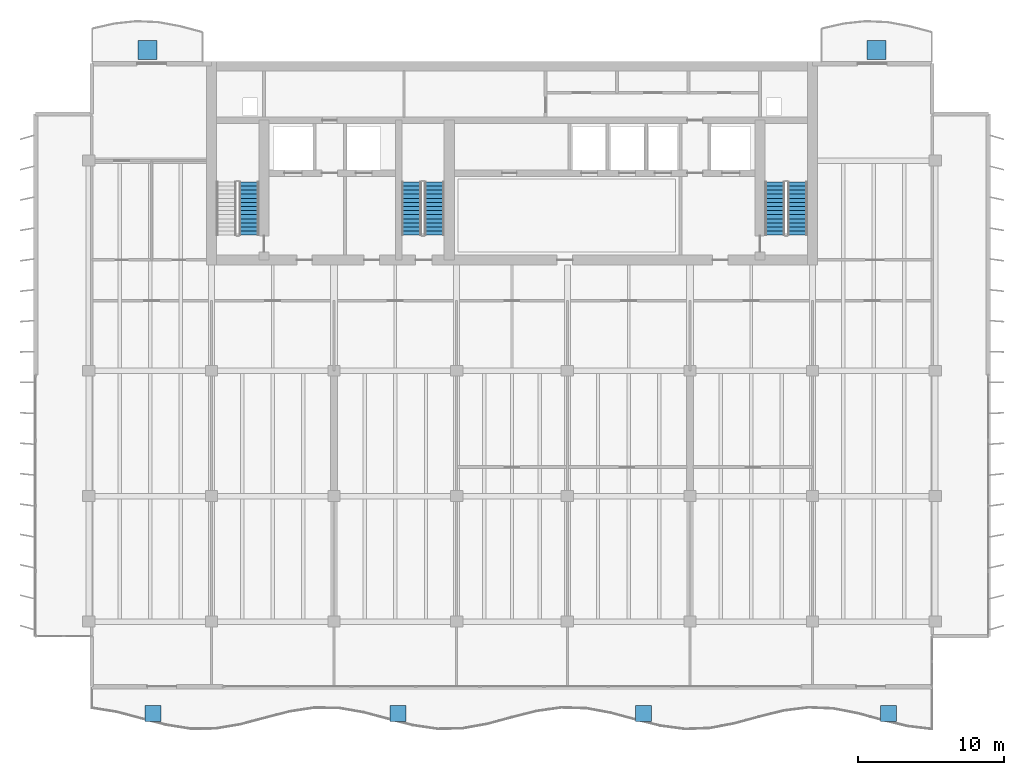
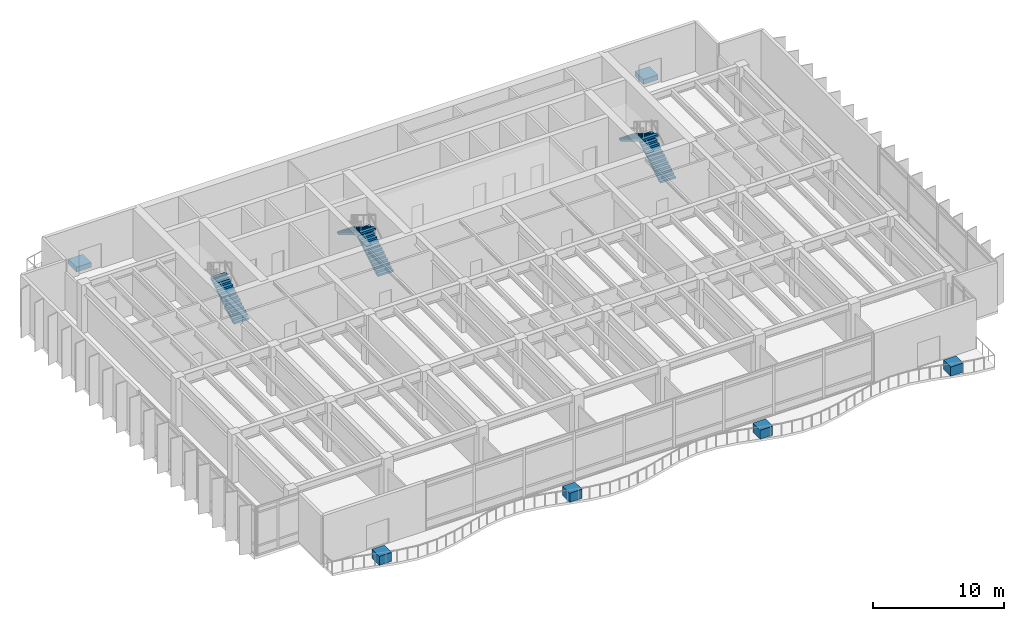
# One storey, part 11 of 15: 6 discrete accessories, 5 stair flights, 3 elements without a shape of their own.
"""IFC4 building model written with IfcOpenShell, lengths in metres."""

import ifcopenshell
import ifcopenshell.guid

model = None  # the IFC model being written
_history = None  # IfcOwnerHistory: only IFC2X3 demands one
_inside = {}  # id of a spatial element -> (the spatial element, [elements in it])
_under = {}  # id of a project, library or spatial element -> (it, [spatial elements below it])
_declared = {}  # id of a project -> (the project, [libraries it declares])
_typed = {}  # id of a type object -> (the type object, [elements of that type])
_made_of = {}  # id of a material, layer set ... -> (it, [elements and type objects made of it])


def new_model(schema):
    """Start an empty IFC model of exactly this schema.

    Asked for "IFC4X3", IfcOpenShell would pick the latest addendum, in which some entities
    have other attributes; the version numbers below select the first issue.
    IFC2X3 requires an IfcOwnerHistory on every rooted entity: one is made here for all.
    """
    global model, _history
    if schema == "IFC4X3":
        model = ifcopenshell.file(schema_version=(4, 3, 0, 0))
    else:
        model = ifcopenshell.file(schema=schema)
    _inside.clear()
    _under.clear()
    _declared.clear()
    _typed.clear()
    _made_of.clear()
    _history = None
    if model.schema == "IFC2X3":
        org = make("IfcOrganization", Name="unknown")
        user = make(
            "IfcPersonAndOrganization",
            ThePerson=make("IfcPerson", FamilyName="unknown"),
            TheOrganization=org,
        )
        app = make(
            "IfcApplication",
            ApplicationDeveloper=org,
            Version="unknown",
            ApplicationFullName="unknown",
            ApplicationIdentifier="unknown",
        )
        _history = make(
            "IfcOwnerHistory",
            OwningUser=user,
            OwningApplication=app,
            ChangeAction="ADDED",
            CreationDate=0,
        )
    return model


def make(cls, **values):
    """One entity of the class cls with the attributes given. An attribute that is None is left unset."""
    return model.create_entity(
        cls, **{name: value for name, value in values.items() if value is not None}
    )


def rooted(cls, **values):
    """An entity with a GlobalId (a new one), such as an element, a storey or a relation."""
    return make(cls, GlobalId=ifcopenshell.guid.new(), OwnerHistory=_history, **values)


def si_unit(unit_type, name, prefix=None):
    """IfcSIUnit, for example si_unit("LENGTHUNIT", "METRE", prefix="MILLI")."""
    return make("IfcSIUnit", UnitType=unit_type, Prefix=prefix, Name=name)


def assignment(units):
    """IfcUnitAssignment: the units of a project."""
    return None if units is None else make("IfcUnitAssignment", Units=units)


def point(xyz):
    """IfcCartesianPoint."""
    return None if xyz is None else make("IfcCartesianPoint", Coordinates=xyz)


def direction(xyz):
    """IfcDirection."""
    return None if xyz is None else make("IfcDirection", DirectionRatios=xyz)


def frame(location, z_axis=None, x_axis=None):
    """IfcAxis2Placement3D, a coordinate frame: its origin and axes. An axis left out is left unset."""
    return make(
        "IfcAxis2Placement3D",
        Location=point(location),
        Axis=direction(z_axis),
        RefDirection=direction(x_axis),
    )


def frame_2d(location, x_axis=None):
    """IfcAxis2Placement2D, a coordinate frame in the plane: its origin and x axis."""
    return make(
        "IfcAxis2Placement2D", Location=point(location), RefDirection=direction(x_axis)
    )


def origin():
    """The frame at (0, 0, 0) with its axes left unset."""
    return frame((0.0, 0.0, 0.0))


def origin_2d():
    """The frame at (0, 0) in the plane with its x axis left unset."""
    return frame_2d((0.0, 0.0))


def place(relative_to, where):
    """IfcLocalPlacement: puts the frame where relative to a parent placement (None: the world)."""
    return make(
        "IfcLocalPlacement", PlacementRelTo=relative_to, RelativePlacement=where
    )


def context(
    kind, dimensions, precision=None, world=None, true_north=None, identifier=None
):
    """IfcGeometricRepresentationContext, for example the 3D "Model" context."""
    return make(
        "IfcGeometricRepresentationContext",
        ContextIdentifier=identifier,
        ContextType=kind,
        CoordinateSpaceDimension=dimensions,
        Precision=precision,
        WorldCoordinateSystem=world,
        TrueNorth=true_north,
    )


def subcontext(parent, identifier, kind, view, scale=None):
    """IfcGeometricRepresentationSubContext, for example "Body" below "Model"."""
    return make(
        "IfcGeometricRepresentationSubContext",
        ContextIdentifier=identifier,
        ContextType=kind,
        ParentContext=parent,
        TargetScale=scale,
        TargetView=view,
    )


def project(units=None, contexts=None):
    """IfcProject with its units and contexts."""
    return rooted(
        "IfcProject",
        Name="project",
        RepresentationContexts=contexts,
        UnitsInContext=assignment(units),
    )


def spatial(cls, under=None, at=None, **own):
    """A site, building, storey or space (cls), placed at a placement, below another one or the project."""
    s = rooted(cls, ObjectPlacement=at, **own)
    if under is not None:
        _under.setdefault(under.id(), (under, []))[1].append(s)
    return s


def polyline(points):
    """IfcPolyline through the points."""
    return make("IfcPolyline", Points=[point(p) for p in points])


def profile(cls, at=None, kind="AREA", **sizes):
    """A parametric profile (cls). Its sizes go by their IFC names, for example OverallWidth=200.0."""
    return make(cls, ProfileType=kind, Position=at, **sizes)


def rectangle(**sizes):
    """IfcRectangleProfileDef."""
    return profile("IfcRectangleProfileDef", **sizes)


def outline(outer, holes=None, kind="AREA"):
    """IfcArbitraryClosedProfileDef: a profile drawn as a closed curve; with holes, ...WithVoids."""
    if holes is None:
        return make("IfcArbitraryClosedProfileDef", ProfileType=kind, OuterCurve=outer)
    return make(
        "IfcArbitraryProfileDefWithVoids",
        ProfileType=kind,
        OuterCurve=outer,
        InnerCurves=holes,
    )


def extrude(swept, where, along, depth):
    """IfcExtrudedAreaSolid: the profile swept, set in the frame where, extruded along a direction by depth."""
    return make(
        "IfcExtrudedAreaSolid",
        SweptArea=swept,
        Position=where,
        ExtrudedDirection=direction(along),
        Depth=depth,
    )


def shape(context_of_items, identifier, shape_type, items):
    """IfcShapeRepresentation: the items that make up one representation, for example the "Body"."""
    return make(
        "IfcShapeRepresentation",
        ContextOfItems=context_of_items,
        RepresentationIdentifier=identifier,
        RepresentationType=shape_type,
        Items=items,
    )


def material(Name=None, Category=None):
    """IfcMaterial."""
    return make("IfcMaterial", Name=Name, Category=Category)


def made_of(thing, what):
    """Note that an element or type object is made of a material, layer set ...; save() writes the relation."""
    if what is not None:
        _made_of.setdefault(what.id(), (what, []))[1].append(thing)
    return thing


def type_object(cls, material=None, **own):
    """A type object (cls), such as IfcWallType, which elements share."""
    return made_of(rooted(cls, **own), material)


def element(
    cls,
    number,
    at=None,
    inside=None,
    cuts=None,
    type_object=None,
    material=None,
    context=None,
    identifier="Body",
    shape_type=None,
    held_by="IfcProductDefinitionShape",
    body=None,
    shapes=None,
    **own,
):
    """One element of the class cls, such as IfcWall. Its Tag is "e" and its number.

    at: its placement. inside: the storey or other place that contains it. cuts: it is an
    opening in that element (IfcRelVoidsElement). A single representation is given by context,
    identifier, shape_type and body (its items); several are given by shapes. held_by: the class
    of the entity that holds the representations. save() writes the other relations.
    """
    e = rooted(cls, Tag="e%d" % number, ObjectPlacement=at, **own)
    if body is not None:
        shapes = [shape(context, identifier, shape_type, body)]
    if shapes is not None:
        e.Representation = make(held_by, Representations=shapes)
    if inside is not None:
        _inside.setdefault(inside.id(), (inside, []))[1].append(e)
    if cuts is not None:
        rooted(
            "IfcRelVoidsElement", RelatingBuildingElement=cuts, RelatedOpeningElement=e
        )
    if type_object is not None:
        _typed.setdefault(type_object.id(), (type_object, []))[1].append(e)
    return made_of(e, material)


def aggregate(whole, parts):
    """IfcRelAggregates: a whole, such as a stair, and the parts it consists of."""
    return rooted("IfcRelAggregates", RelatingObject=whole, RelatedObjects=parts)


def save(model, path):
    """Write the relations noted so far, then the file.

    IfcRelAggregates (storeys below a building ...), IfcRelContainedInSpatialStructure (elements
    in a storey), IfcRelDefinesByType, IfcRelAssociatesMaterial and IfcRelDeclares: one each for
    every whole, place, type object, material and project.
    """
    for whole, parts in _under.values():
        aggregate(whole, parts)
    for where, things in _inside.values():
        rooted(
            "IfcRelContainedInSpatialStructure",
            RelatedElements=things,
            RelatingStructure=where,
        )
    for kind, things in _typed.values():
        rooted("IfcRelDefinesByType", RelatedObjects=things, RelatingType=kind)
    for what, things in _made_of.values():
        rooted("IfcRelAssociatesMaterial", RelatedObjects=things, RelatingMaterial=what)
    for by, libraries in _declared.values():
        rooted("IfcRelDeclares", RelatingContext=by, RelatedDefinitions=libraries)
    model.write(path)


model = new_model("IFC4")

# Units and contexts
model_context = context("Model", 3, precision=1e-05, world=origin(), true_north=direction((0.0, 1.0)))
body_context = subcontext(model_context, "Body", "Model", "MODEL_VIEW")
ifc_project = project(units=[si_unit("LENGTHUNIT", "METRE"), si_unit("AREAUNIT", "SQUARE_METRE"), si_unit("VOLUMEUNIT", "CUBIC_METRE"), si_unit("PLANEANGLEUNIT", "RADIAN"), si_unit("MASSUNIT", "GRAM", prefix="KILO")], contexts=[model_context])

# Site, building, storey
site_placement = place(None, origin())
site = spatial("IfcSite", under=ifc_project, at=site_placement, CompositionType="ELEMENT")
building_placement = place(site_placement, origin())
building = spatial("IfcBuilding", under=site, at=building_placement, Name="Caelmar Bay Residences", CompositionType="ELEMENT")
storey_placement = place(building_placement, frame((0.0, 0.0, 183.60009765625)))
storey = spatial("IfcBuildingStorey", under=building, at=storey_placement, Name="L51", CompositionType="ELEMENT", Elevation=183.60009765625)

# Stair, stair flight
ifc_material_1 = material(Name="Concrete f'c 40 MPa (6,000 psi)", Category="concrete")
stair_type = type_object("IfcStairType", Name="ST-TAL-170", PredefinedType="HALF_TURN_STAIR", material=ifc_material_1)
stair_1_placement = place(storey_placement, origin())
stair_1 = element("IfcStair", 1, at=stair_1_placement, inside=storey, type_object=stair_type, Name="L51 West Smokeproof Exit Stair ST1", PredefinedType="HALF_TURN_STAIR")
ifc_material_2 = material(Name="Precast concrete f'c 40 MPa (6,000 psi)", Category="concrete")
stair_flight_type = type_object("IfcStairFlightType", Name="STF-1400", PredefinedType="STRAIGHT", material=ifc_material_2)
stair_flight_1_placement = place(storey_placement, frame((20.875, 38.699951171875, 0.0), z_axis=(0.0, 0.0, 1.0), x_axis=(0.0, 1.0, 0.0)))
stair_flight_1 = element("IfcStairFlight", 2, at=stair_flight_1_placement, type_object=stair_flight_type, Name="ST1 flight 1", NumberOfRisers=14, NumberOfTreads=13, PredefinedType="STRAIGHT", RiserHeight=0.171428571, TreadLength=0.28, context=body_context, shape_type="SweptSolid", body=[
    extrude(outline(polyline([(0.0, 0.0), (0.0, 0.17138671875), (0.280029296875, 0.17138671875), (0.280029296875, 0.3427734375), (0.56005859375, 0.3427734375), (0.56005859375, 0.514404296875), (0.840087890625, 0.514404296875), (0.840087890625, 0.685791015625), (1.1201171875, 0.685791015625), (1.1201171875, 0.857177734375), (1.39990234375, 0.857177734375), (1.39990234375, 1.028564453125), (1.679931640625, 1.028564453125), (1.679931640625, 1.199951171875), (1.9599609375, 1.199951171875), (1.9599609375, 1.371337890625), (2.239990234375, 1.371337890625), (2.239990234375, 1.54296875), (2.52001953125, 1.54296875), (2.52001953125, 1.71435546875), (2.800048828125, 1.71435546875), (2.800048828125, 1.8857421875), (3.080078125, 1.8857421875), (3.080078125, 2.05712890625), (3.360107421875, 2.05712890625), (3.360107421875, 2.228515625), (3.639892578125, 2.228515625), (3.639892578125, 2.39990234375), (3.639892578125, 2.052734375), (0.287109375, 0.0), (0.0, 0.0)])), frame((0.0, 0.675048828125, 0.0), z_axis=(0.0, -1.0, 0.0), x_axis=(1.0, 0.0, 0.0)), (0.0, 0.0, 1.0), 1.35009765625),
])
aggregate(stair_1, [stair_flight_1])

# Stair, stair flights
stair_2_placement = place(storey_placement, origin())
stair_2 = element("IfcStair", 3, at=stair_2_placement, inside=storey, type_object=stair_type, Name="L51 East Smokeproof Exit Stair ST2", PredefinedType="HALF_TURN_STAIR")
stair_flight_2_placement = place(storey_placement, frame((58.47509765625, 38.699951171875, 0.0), z_axis=(0.0, 0.0, 1.0), x_axis=(0.0, 1.0, 0.0)))
stair_flight_2 = element("IfcStairFlight", 4, at=stair_flight_2_placement, type_object=stair_flight_type, Name="ST2 flight 1", NumberOfRisers=14, NumberOfTreads=13, PredefinedType="STRAIGHT", RiserHeight=0.171428571, TreadLength=0.28, context=body_context, shape_type="SweptSolid", body=[
    extrude(outline(polyline([(0.0, 0.0), (0.0, 0.17138671875), (0.280029296875, 0.17138671875), (0.280029296875, 0.3427734375), (0.56005859375, 0.3427734375), (0.56005859375, 0.514404296875), (0.840087890625, 0.514404296875), (0.840087890625, 0.685791015625), (1.1201171875, 0.685791015625), (1.1201171875, 0.857177734375), (1.39990234375, 0.857177734375), (1.39990234375, 1.028564453125), (1.679931640625, 1.028564453125), (1.679931640625, 1.199951171875), (1.9599609375, 1.199951171875), (1.9599609375, 1.371337890625), (2.239990234375, 1.371337890625), (2.239990234375, 1.54296875), (2.52001953125, 1.54296875), (2.52001953125, 1.71435546875), (2.800048828125, 1.71435546875), (2.800048828125, 1.8857421875), (3.080078125, 1.8857421875), (3.080078125, 2.05712890625), (3.360107421875, 2.05712890625), (3.360107421875, 2.228515625), (3.639892578125, 2.228515625), (3.639892578125, 2.39990234375), (3.639892578125, 2.052734375), (0.287109375, 0.0), (0.0, 0.0)])), frame((0.0, 0.675048828125, 0.0), z_axis=(0.0, -1.0, 0.0), x_axis=(1.0, 0.0, 0.0)), (0.0, 0.0, 1.0), 1.35009765625),
])
stair_flight_3_placement = place(storey_placement, frame((56.925048828125, 42.340087890625, 2.39990234375), z_axis=(0.0, 0.0, 1.0), x_axis=(0.0, -1.0, 0.0)))
stair_flight_3 = element("IfcStairFlight", 5, at=stair_flight_3_placement, type_object=stair_flight_type, Name="ST2 flight 2", NumberOfRisers=14, NumberOfTreads=13, PredefinedType="STRAIGHT", RiserHeight=0.171428571, TreadLength=0.28, context=body_context, shape_type="SweptSolid", body=[
    extrude(outline(polyline([(0.0, 0.0), (0.0, 0.17138671875), (0.280029296875, 0.17138671875), (0.280029296875, 0.3427734375), (0.56005859375, 0.3427734375), (0.56005859375, 0.514404296875), (0.840087890625, 0.514404296875), (0.840087890625, 0.685791015625), (1.1201171875, 0.685791015625), (1.1201171875, 0.857177734375), (1.39990234375, 0.857177734375), (1.39990234375, 1.028564453125), (1.679931640625, 1.028564453125), (1.679931640625, 1.199951171875), (1.9599609375, 1.199951171875), (1.9599609375, 1.371337890625), (2.239990234375, 1.371337890625), (2.239990234375, 1.54296875), (2.52001953125, 1.54296875), (2.52001953125, 1.71435546875), (2.800048828125, 1.71435546875), (2.800048828125, 1.8857421875), (3.080078125, 1.8857421875), (3.080078125, 2.05712890625), (3.360107421875, 2.05712890625), (3.360107421875, 2.228515625), (3.639892578125, 2.228515625), (3.639892578125, 2.39990234375), (3.639892578125, 2.052734375), (0.287109375, 0.0), (0.0, 0.0)])), frame((0.0, 0.675048828125, 0.0), z_axis=(0.0, -1.0, 0.0), x_axis=(1.0, 0.0, 0.0)), (0.0, 0.0, 1.0), 1.35009765625),
])
aggregate(stair_2, [stair_flight_2, stair_flight_3])

stair_3_placement = place(storey_placement, origin())
stair_3 = element("IfcStair", 6, at=stair_3_placement, inside=storey, type_object=stair_type, Name="L51 Central Smokeproof Exit Stair ST3", PredefinedType="HALF_TURN_STAIR")
stair_flight_4_placement = place(storey_placement, frame((33.574951171875, 38.699951171875, 0.0), z_axis=(0.0, 0.0, 1.0), x_axis=(0.0, 1.0, 0.0)))
stair_flight_4 = element("IfcStairFlight", 7, at=stair_flight_4_placement, type_object=stair_flight_type, Name="ST3 flight 1", NumberOfRisers=14, NumberOfTreads=13, PredefinedType="STRAIGHT", RiserHeight=0.171428571, TreadLength=0.28, context=body_context, shape_type="SweptSolid", body=[
    extrude(outline(polyline([(0.0, 0.0), (0.0, 0.17138671875), (0.280029296875, 0.17138671875), (0.280029296875, 0.3427734375), (0.56005859375, 0.3427734375), (0.56005859375, 0.514404296875), (0.840087890625, 0.514404296875), (0.840087890625, 0.685791015625), (1.1201171875, 0.685791015625), (1.1201171875, 0.857177734375), (1.39990234375, 0.857177734375), (1.39990234375, 1.028564453125), (1.679931640625, 1.028564453125), (1.679931640625, 1.199951171875), (1.9599609375, 1.199951171875), (1.9599609375, 1.371337890625), (2.239990234375, 1.371337890625), (2.239990234375, 1.54296875), (2.52001953125, 1.54296875), (2.52001953125, 1.71435546875), (2.800048828125, 1.71435546875), (2.800048828125, 1.8857421875), (3.080078125, 1.8857421875), (3.080078125, 2.05712890625), (3.360107421875, 2.05712890625), (3.360107421875, 2.228515625), (3.639892578125, 2.228515625), (3.639892578125, 2.39990234375), (3.639892578125, 2.052734375), (0.287109375, 0.0), (0.0, 0.0)])), frame((0.0, 0.675048828125, 0.0), z_axis=(0.0, -1.0, 0.0), x_axis=(1.0, 0.0, 0.0)), (0.0, 0.0, 1.0), 1.35009765625),
])
stair_flight_5_placement = place(storey_placement, frame((32.02490234375, 42.340087890625, 2.39990234375), z_axis=(0.0, 0.0, 1.0), x_axis=(0.0, -1.0, 0.0)))
stair_flight_5 = element("IfcStairFlight", 8, at=stair_flight_5_placement, type_object=stair_flight_type, Name="ST3 flight 2", NumberOfRisers=14, NumberOfTreads=13, PredefinedType="STRAIGHT", RiserHeight=0.171428571, TreadLength=0.28, context=body_context, shape_type="SweptSolid", body=[
    extrude(outline(polyline([(0.0, 0.0), (0.0, 0.17138671875), (0.280029296875, 0.17138671875), (0.280029296875, 0.3427734375), (0.56005859375, 0.3427734375), (0.56005859375, 0.514404296875), (0.840087890625, 0.514404296875), (0.840087890625, 0.685791015625), (1.1201171875, 0.685791015625), (1.1201171875, 0.857177734375), (1.39990234375, 0.857177734375), (1.39990234375, 1.028564453125), (1.679931640625, 1.028564453125), (1.679931640625, 1.199951171875), (1.9599609375, 1.199951171875), (1.9599609375, 1.371337890625), (2.239990234375, 1.371337890625), (2.239990234375, 1.54296875), (2.52001953125, 1.54296875), (2.52001953125, 1.71435546875), (2.800048828125, 1.71435546875), (2.800048828125, 1.8857421875), (3.080078125, 1.8857421875), (3.080078125, 2.05712890625), (3.360107421875, 2.05712890625), (3.360107421875, 2.228515625), (3.639892578125, 2.228515625), (3.639892578125, 2.39990234375), (3.639892578125, 2.052734375), (0.287109375, 0.0), (0.0, 0.0)])), frame((0.0, 0.675048828125, 0.0), z_axis=(0.0, -1.0, 0.0), x_axis=(1.0, 0.0, 0.0)), (0.0, 0.0, 1.0), 1.35009765625),
])
aggregate(stair_3, [stair_flight_4, stair_flight_5])

# Discrete accessories
ifc_material_3 = material(Name="Architectural bronze GRC planter trough with volcanic-lapilli substrate")
discrete_accessory_type_1 = type_object("IfcDiscreteAccessoryType", Name="ACC-PLANTER-1100", PredefinedType="USERDEFINED", material=ifc_material_3)
for number, where, z_axis, x_axis, name in (
    (9, (14.300048828125, 5.918212890625, -0.000244140625), (0.0, 0.0, 1.0), (1.0, 0.0, 0.0), "L51 Balcony Structural Tree Planter 1"),
    (10, (31.10009765625, 5.918212890625, -0.000244140625), (0.0, 0.0, 1.0), (1.0, 0.0, 0.0), "L51 Balcony Structural Tree Planter 2"),
    (11, (47.89990234375, 5.918212890625, -0.000244140625), (0.0, 0.0, 1.0), (1.0, 0.0, 0.0), "L51 Balcony Structural Tree Planter 3"),
    (12, (64.699951171875, 5.918212890625, -0.000244140625), (0.0, 0.0, 1.0), (1.0, 0.0, 0.0), "L51 Balcony Structural Tree Planter 4"),
):
    element("IfcDiscreteAccessory", number, at=place(storey_placement, frame(where, z_axis=z_axis, x_axis=x_axis)), inside=storey, type_object=discrete_accessory_type_1, Name=name, ObjectType="PLANTER", PredefinedType="USERDEFINED", context=body_context, shape_type="SweptSolid", body=[
        extrude(rectangle(XDim=1.10009765625, YDim=1.10009765625, at=origin_2d()), origin(), (0.0, 0.0, 1.0), 0.85009765625),
    ])
discrete_accessory_type_2 = type_object("IfcDiscreteAccessoryType", Name="STR-PLANTER-KERB-450", PredefinedType="USERDEFINED", material=ifc_material_2)
for number, where, z_axis, x_axis, name in (
    (13, (13.89990234375, 51.39990234375, 0.0), (0.0, 0.0, 1.0), (1.0, 0.0, 0.0), "L51 north_west Structural Tree Planter Kerb"),
    (14, (63.89990234375, 51.39990234375, 0.0), (0.0, 0.0, 1.0), (1.0, 0.0, 0.0), "L51 north_east Structural Tree Planter Kerb"),
):
    element("IfcDiscreteAccessory", number, at=place(storey_placement, frame(where, z_axis=z_axis, x_axis=x_axis)), inside=storey, type_object=discrete_accessory_type_2, Name=name, ObjectType="PLANTER", PredefinedType="USERDEFINED", context=body_context, shape_type="SweptSolid", body=[
        extrude(rectangle(XDim=1.300048828125, YDim=1.300048828125, at=origin_2d()), origin(), (0.0, 0.0, 1.0), 0.449951171875),
    ])

save(model, "model.ifc")
